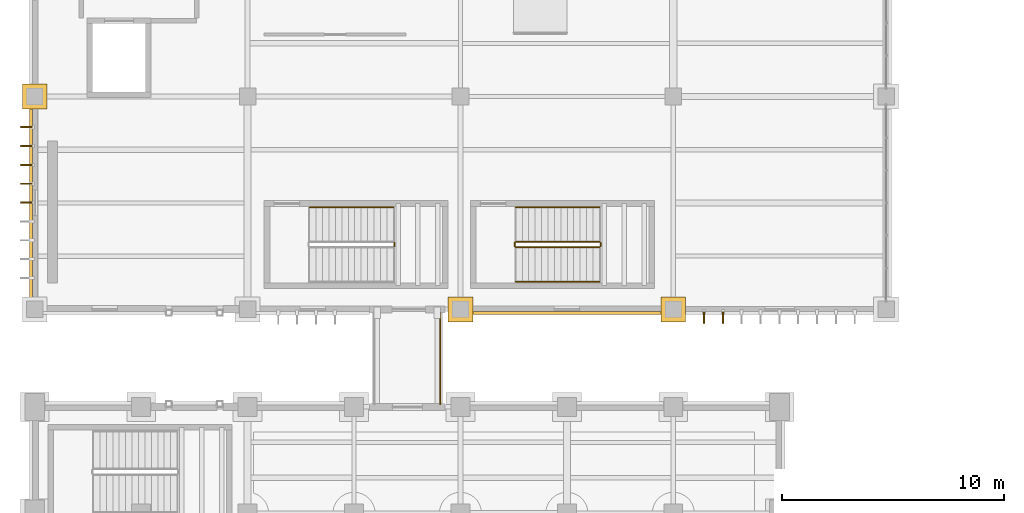
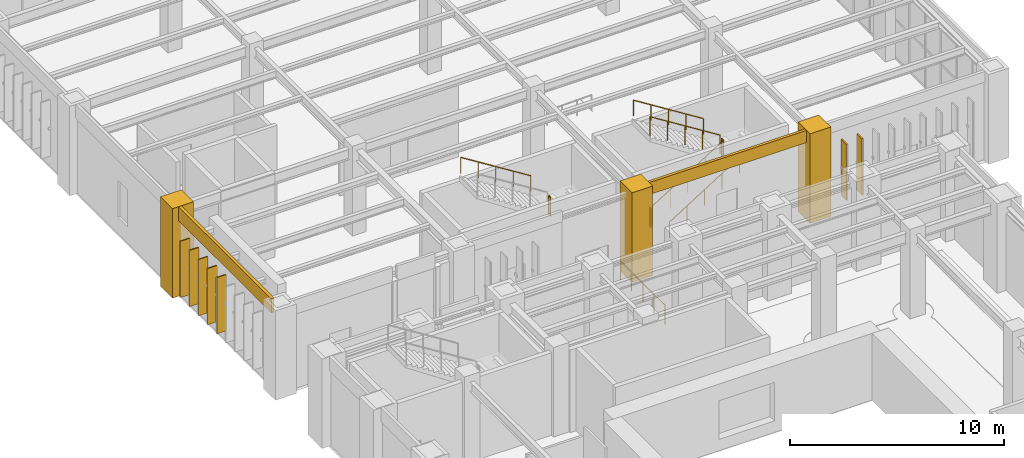
# One storey, part 166 of 174: 9 railings, 7 shading devices, 5 coverings.
"""IFC4 building model written with IfcOpenShell, lengths in metres."""

import ifcopenshell
import ifcopenshell.guid

model = None  # the IFC model being written
_history = None  # IfcOwnerHistory: only IFC2X3 demands one
_inside = {}  # id of a spatial element -> (the spatial element, [elements in it])
_under = {}  # id of a project, library or spatial element -> (it, [spatial elements below it])
_declared = {}  # id of a project -> (the project, [libraries it declares])
_typed = {}  # id of a type object -> (the type object, [elements of that type])
_made_of = {}  # id of a material, layer set ... -> (it, [elements and type objects made of it])


def new_model(schema):
    """Start an empty IFC model of exactly this schema.

    Asked for "IFC4X3", IfcOpenShell would pick the latest addendum, in which some entities
    have other attributes; the version numbers below select the first issue.
    IFC2X3 requires an IfcOwnerHistory on every rooted entity: one is made here for all.
    """
    global model, _history
    if schema == "IFC4X3":
        model = ifcopenshell.file(schema_version=(4, 3, 0, 0))
    else:
        model = ifcopenshell.file(schema=schema)
    _inside.clear()
    _under.clear()
    _declared.clear()
    _typed.clear()
    _made_of.clear()
    _history = None
    if model.schema == "IFC2X3":
        org = make("IfcOrganization", Name="unknown")
        user = make(
            "IfcPersonAndOrganization",
            ThePerson=make("IfcPerson", FamilyName="unknown"),
            TheOrganization=org,
        )
        app = make(
            "IfcApplication",
            ApplicationDeveloper=org,
            Version="unknown",
            ApplicationFullName="unknown",
            ApplicationIdentifier="unknown",
        )
        _history = make(
            "IfcOwnerHistory",
            OwningUser=user,
            OwningApplication=app,
            ChangeAction="ADDED",
            CreationDate=0,
        )
    return model


def make(cls, **values):
    """One entity of the class cls with the attributes given. An attribute that is None is left unset."""
    return model.create_entity(
        cls, **{name: value for name, value in values.items() if value is not None}
    )


def rooted(cls, **values):
    """An entity with a GlobalId (a new one), such as an element, a storey or a relation."""
    return make(cls, GlobalId=ifcopenshell.guid.new(), OwnerHistory=_history, **values)


def si_unit(unit_type, name, prefix=None):
    """IfcSIUnit, for example si_unit("LENGTHUNIT", "METRE", prefix="MILLI")."""
    return make("IfcSIUnit", UnitType=unit_type, Prefix=prefix, Name=name)


def assignment(units):
    """IfcUnitAssignment: the units of a project."""
    return None if units is None else make("IfcUnitAssignment", Units=units)


def point(xyz):
    """IfcCartesianPoint."""
    return None if xyz is None else make("IfcCartesianPoint", Coordinates=xyz)


def direction(xyz):
    """IfcDirection."""
    return None if xyz is None else make("IfcDirection", DirectionRatios=xyz)


def frame(location, z_axis=None, x_axis=None):
    """IfcAxis2Placement3D, a coordinate frame: its origin and axes. An axis left out is left unset."""
    return make(
        "IfcAxis2Placement3D",
        Location=point(location),
        Axis=direction(z_axis),
        RefDirection=direction(x_axis),
    )


def frame_2d(location, x_axis=None):
    """IfcAxis2Placement2D, a coordinate frame in the plane: its origin and x axis."""
    return make(
        "IfcAxis2Placement2D", Location=point(location), RefDirection=direction(x_axis)
    )


def origin():
    """The frame at (0, 0, 0) with its axes left unset."""
    return frame((0.0, 0.0, 0.0))


def origin_2d():
    """The frame at (0, 0) in the plane with its x axis left unset."""
    return frame_2d((0.0, 0.0))


def place(relative_to, where):
    """IfcLocalPlacement: puts the frame where relative to a parent placement (None: the world)."""
    return make(
        "IfcLocalPlacement", PlacementRelTo=relative_to, RelativePlacement=where
    )


def context(
    kind, dimensions, precision=None, world=None, true_north=None, identifier=None
):
    """IfcGeometricRepresentationContext, for example the 3D "Model" context."""
    return make(
        "IfcGeometricRepresentationContext",
        ContextIdentifier=identifier,
        ContextType=kind,
        CoordinateSpaceDimension=dimensions,
        Precision=precision,
        WorldCoordinateSystem=world,
        TrueNorth=true_north,
    )


def subcontext(parent, identifier, kind, view, scale=None):
    """IfcGeometricRepresentationSubContext, for example "Body" below "Model"."""
    return make(
        "IfcGeometricRepresentationSubContext",
        ContextIdentifier=identifier,
        ContextType=kind,
        ParentContext=parent,
        TargetScale=scale,
        TargetView=view,
    )


def project(units=None, contexts=None):
    """IfcProject with its units and contexts."""
    return rooted(
        "IfcProject",
        Name="project",
        RepresentationContexts=contexts,
        UnitsInContext=assignment(units),
    )


def spatial(cls, under=None, at=None, **own):
    """A site, building, storey or space (cls), placed at a placement, below another one or the project."""
    s = rooted(cls, ObjectPlacement=at, **own)
    if under is not None:
        _under.setdefault(under.id(), (under, []))[1].append(s)
    return s


def polyline(points):
    """IfcPolyline through the points."""
    return make("IfcPolyline", Points=[point(p) for p in points])


def profile(cls, at=None, kind="AREA", **sizes):
    """A parametric profile (cls). Its sizes go by their IFC names, for example OverallWidth=200.0."""
    return make(cls, ProfileType=kind, Position=at, **sizes)


def rectangle(**sizes):
    """IfcRectangleProfileDef."""
    return profile("IfcRectangleProfileDef", **sizes)


def circle(**sizes):
    """IfcCircleProfileDef."""
    return profile("IfcCircleProfileDef", **sizes)


def outline(outer, holes=None, kind="AREA"):
    """IfcArbitraryClosedProfileDef: a profile drawn as a closed curve; with holes, ...WithVoids."""
    if holes is None:
        return make("IfcArbitraryClosedProfileDef", ProfileType=kind, OuterCurve=outer)
    return make(
        "IfcArbitraryProfileDefWithVoids",
        ProfileType=kind,
        OuterCurve=outer,
        InnerCurves=holes,
    )


def extrude(swept, where, along, depth):
    """IfcExtrudedAreaSolid: the profile swept, set in the frame where, extruded along a direction by depth."""
    return make(
        "IfcExtrudedAreaSolid",
        SweptArea=swept,
        Position=where,
        ExtrudedDirection=direction(along),
        Depth=depth,
    )


def shape(context_of_items, identifier, shape_type, items):
    """IfcShapeRepresentation: the items that make up one representation, for example the "Body"."""
    return make(
        "IfcShapeRepresentation",
        ContextOfItems=context_of_items,
        RepresentationIdentifier=identifier,
        RepresentationType=shape_type,
        Items=items,
    )


def material(Name=None, Category=None):
    """IfcMaterial."""
    return make("IfcMaterial", Name=Name, Category=Category)


def layer(
    of_material, thickness, ventilated=None, Name=None, Category=None, Priority=None
):
    """IfcMaterialLayer: one layer of a wall or slab, of a material (None: an air gap)."""
    return make(
        "IfcMaterialLayer",
        Material=of_material,
        LayerThickness=thickness,
        IsVentilated=ventilated,
        Name=Name,
        Category=Category,
        Priority=Priority,
    )


def layer_set(layers, Name=None):
    """IfcMaterialLayerSet."""
    return make("IfcMaterialLayerSet", MaterialLayers=layers, LayerSetName=Name)


def made_of(thing, what):
    """Note that an element or type object is made of a material, layer set ...; save() writes the relation."""
    if what is not None:
        _made_of.setdefault(what.id(), (what, []))[1].append(thing)
    return thing


def type_object(cls, material=None, **own):
    """A type object (cls), such as IfcWallType, which elements share."""
    return made_of(rooted(cls, **own), material)


def element(
    cls,
    number,
    at=None,
    inside=None,
    cuts=None,
    type_object=None,
    material=None,
    context=None,
    identifier="Body",
    shape_type=None,
    held_by="IfcProductDefinitionShape",
    body=None,
    shapes=None,
    **own,
):
    """One element of the class cls, such as IfcWall. Its Tag is "e" and its number.

    at: its placement. inside: the storey or other place that contains it. cuts: it is an
    opening in that element (IfcRelVoidsElement). A single representation is given by context,
    identifier, shape_type and body (its items); several are given by shapes. held_by: the class
    of the entity that holds the representations. save() writes the other relations.
    """
    e = rooted(cls, Tag="e%d" % number, ObjectPlacement=at, **own)
    if body is not None:
        shapes = [shape(context, identifier, shape_type, body)]
    if shapes is not None:
        e.Representation = make(held_by, Representations=shapes)
    if inside is not None:
        _inside.setdefault(inside.id(), (inside, []))[1].append(e)
    if cuts is not None:
        rooted(
            "IfcRelVoidsElement", RelatingBuildingElement=cuts, RelatedOpeningElement=e
        )
    if type_object is not None:
        _typed.setdefault(type_object.id(), (type_object, []))[1].append(e)
    return made_of(e, material)


def aggregate(whole, parts):
    """IfcRelAggregates: a whole, such as a stair, and the parts it consists of."""
    return rooted("IfcRelAggregates", RelatingObject=whole, RelatedObjects=parts)


def save(model, path):
    """Write the relations noted so far, then the file.

    IfcRelAggregates (storeys below a building ...), IfcRelContainedInSpatialStructure (elements
    in a storey), IfcRelDefinesByType, IfcRelAssociatesMaterial and IfcRelDeclares: one each for
    every whole, place, type object, material and project.
    """
    for whole, parts in _under.values():
        aggregate(whole, parts)
    for where, things in _inside.values():
        rooted(
            "IfcRelContainedInSpatialStructure",
            RelatedElements=things,
            RelatingStructure=where,
        )
    for kind, things in _typed.values():
        rooted("IfcRelDefinesByType", RelatedObjects=things, RelatingType=kind)
    for what, things in _made_of.values():
        rooted("IfcRelAssociatesMaterial", RelatedObjects=things, RelatingMaterial=what)
    for by, libraries in _declared.values():
        rooted("IfcRelDeclares", RelatingContext=by, RelatedDefinitions=libraries)
    model.write(path)


model = new_model("IFC4")

# Units and contexts
model_context = context("Model", 3, precision=1e-05, world=origin(), true_north=direction((0.0, 1.0)))
body_context = subcontext(model_context, "Body", "Model", "MODEL_VIEW")
ifc_project = project(units=[si_unit("LENGTHUNIT", "METRE"), si_unit("AREAUNIT", "SQUARE_METRE"), si_unit("VOLUMEUNIT", "CUBIC_METRE"), si_unit("PLANEANGLEUNIT", "RADIAN"), si_unit("MASSUNIT", "GRAM", prefix="KILO")], contexts=[model_context])

# Site, building, storey
site_placement = place(None, origin())
site = spatial("IfcSite", under=ifc_project, at=site_placement, CompositionType="ELEMENT")
building_placement = place(site_placement, origin())
building = spatial("IfcBuilding", under=site, at=building_placement, Name="Mavantir Sound Aquarium", CompositionType="ELEMENT")
storey_placement = place(building_placement, frame((0.0, 0.0, 5.39990234375)))
storey = spatial("IfcBuildingStorey", under=building, at=storey_placement, Name="L01", CompositionType="ELEMENT", Elevation=5.39990234375)

# Coverings
ifc_material_1 = material(Name="Honed Coral-Limestone & Glazed Terracotta Rainscreen Cladding", Category="masonry")
ifc_layer = layer(ifc_material_1, 0.06005859375, Name="Honed Coral-Limestone & Glazed Terracotta Rainscreen Cladding")
ifc_layer_set = layer_set([ifc_layer], Name="Honed Coral-Limestone & Glazed Terracotta Rainscreen Cladding")
covering_type = type_object("IfcCoveringType", Name="COV-CLAD-TC", PredefinedType="CLADDING", material=ifc_layer_set)
covering_1_placement = place(storey_placement, frame((0.0, 0.0, 4.299072265625)))
element("IfcCovering", 1, at=covering_1_placement, inside=storey, type_object=covering_type, Name="L01 Postmodern coral-limestone spandrel frieze 254", PredefinedType="CLADDING", context=body_context, shape_type="SweptSolid", body=[
    extrude(outline(polyline([(-0.090087890625, 92.81689453125), (-0.090087890625, 83.98291015625), (-0.239990234375, 83.98291015625), (-0.239990234375, 92.81689453125), (-0.090087890625, 92.81689453125)])), origin(), (0.0, 0.0, 1.0), 0.801025390625),
])
covering_2_placement = place(storey_placement, frame((0.0, 0.0, 4.408203125)))
element("IfcCovering", 2, at=covering_2_placement, inside=storey, type_object=covering_type, Name="L01 Postmodern coral-limestone spandrel frieze 258", PredefinedType="CLADDING", context=body_context, shape_type="SweptSolid", body=[
    extrude(outline(polyline([(19.5830078125, 83.510009765625), (28.4169921875, 83.510009765625), (28.4169921875, 83.360107421875), (19.5830078125, 83.360107421875), (19.5830078125, 83.510009765625)])), origin(), (0.0, 0.0, 1.0), 0.69189453125),
])
covering_3_placement = place(storey_placement, origin())
element("IfcCovering", 3, at=covering_3_placement, inside=storey, type_object=covering_type, Name="L01 Postmodern coral-limestone pilaster casing 350", PredefinedType="CLADDING", context=body_context, shape_type="SweptSolid", body=[
    extrude(outline(polyline([(-0.56005859375, 92.639892578125), (0.56005859375, 92.639892578125), (0.56005859375, 93.760009765625), (-0.56005859375, 93.760009765625), (-0.56005859375, 92.639892578125)])), origin(), (0.0, 0.0, 1.0), 5.10009765625),
])
covering_4_placement = place(storey_placement, origin())
element("IfcCovering", 4, at=covering_4_placement, inside=storey, type_object=covering_type, Name="L01 Postmodern coral-limestone pilaster casing 379", PredefinedType="CLADDING", context=body_context, shape_type="SweptSolid", body=[
    extrude(outline(polyline([(18.639892578125, 83.0400390625), (19.760009765625, 83.0400390625), (19.760009765625, 84.159912109375), (18.639892578125, 84.159912109375), (18.639892578125, 83.0400390625)])), origin(), (0.0, 0.0, 1.0), 5.10009765625),
])
covering_5_placement = place(storey_placement, origin())
element("IfcCovering", 5, at=covering_5_placement, inside=storey, type_object=covering_type, Name="L01 Postmodern coral-limestone pilaster casing 391", PredefinedType="CLADDING", context=body_context, shape_type="SweptSolid", body=[
    extrude(outline(polyline([(28.239990234375, 83.0400390625), (29.360107421875, 83.0400390625), (29.360107421875, 84.159912109375), (28.239990234375, 84.159912109375), (28.239990234375, 83.0400390625)])), origin(), (0.0, 0.0, 1.0), 5.10009765625),
])

# Railings
ifc_material_2 = material(Name="Stainless Steel 316 Bridge Balustrade", Category="steel")
railing_type_1 = type_object("IfcRailingType", Name="RL-BAL-110", PredefinedType="BALUSTRADE", material=ifc_material_2)
railing_1_placement = place(storey_placement, frame((18.280029296875, 79.320068359375, 0.0)))
element("IfcRailing", 6, at=railing_1_placement, inside=storey, type_object=railing_type_1, Name="L01 bridge E guardrail 9", PredefinedType="BALUSTRADE", context=body_context, shape_type="SweptSolid", body=[
    extrude(circle(Radius=0.02392578125, at=origin_2d()), frame((0.0, 0.0, 1.076171875), z_axis=(0.0, 1.0, 0.0), x_axis=(-1.0, 0.0, 0.0)), (0.0, 0.0, 1.0), 4.159912109375),
    extrude(circle(Radius=0.02099609375, at=origin_2d()), origin(), (0.0, 0.0, 1.0), 1.052001953125),
    extrude(circle(Radius=0.02099609375, at=origin_2d()), frame((0.0, 1.0400390625, 0.0)), (0.0, 0.0, 1.0), 1.052001953125),
    extrude(circle(Radius=0.02099609375, at=origin_2d()), frame((0.0, 2.080078125, 0.0)), (0.0, 0.0, 1.0), 1.052001953125),
    extrude(circle(Radius=0.02099609375, at=origin_2d()), frame((0.0, 3.119873046875, 0.0)), (0.0, 0.0, 1.0), 1.052001953125),
    extrude(circle(Radius=0.02099609375, at=origin_2d()), frame((0.0, 4.159912109375, 0.0)), (0.0, 0.0, 1.0), 1.052001953125),
])
ifc_material_3 = material(Name="Stainless Steel 316 and Laminated Glass Guardrail", Category="steel")
railing_type_2 = type_object("IfcRailingType", Name="RL-GUARD-110", PredefinedType="GUARDRAIL", material=ifc_material_3)
railing_2_placement = place(storey_placement, frame((16.219970703125, 86.449951171875, 2.550048828125)))
element("IfcRailing", 7, at=railing_2_placement, inside=storey, type_object=railing_type_2, Name="L01 ST5 stair guard 2", PredefinedType="GUARDRAIL", context=body_context, shape_type="SweptSolid", body=[
    extrude(circle(Radius=0.02392578125, at=origin_2d()), frame((0.0, 0.0, 1.076171875), z_axis=(0.0, 1.0, 0.0), x_axis=(-1.0, 0.0, 0.0)), (0.0, 0.0, 1.0), 0.150146484375),
    extrude(circle(Radius=0.02099609375, at=origin_2d()), origin(), (0.0, 0.0, 1.0), 1.052001953125),
    extrude(circle(Radius=0.02099609375, at=origin_2d()), frame((0.0, 0.150146484375, 0.0)), (0.0, 0.0, 1.0), 1.052001953125),
])
railing_3_placement = place(storey_placement, frame((21.699951171875, 86.39990234375, 0.18212890625)))
element("IfcRailing", 8, at=railing_3_placement, inside=storey, type_object=railing_type_2, Name="L01 ST7 stair guard 1", PredefinedType="GUARDRAIL", context=body_context, shape_type="SweptSolid", body=[
    extrude(circle(Radius=0.02392578125, at=origin_2d()), frame((0.0, 0.0, 1.076171875), z_axis=(0.846819337722, 0.0, 0.53188063441), x_axis=(0.0, 1.0, 0.0)), (0.0, 0.0, 1.0), 4.451904296875),
    extrude(circle(Radius=0.02099609375, at=origin_2d()), origin(), (0.0, 0.0, 1.0), 1.052001953125),
    extrude(circle(Radius=0.02099609375, at=origin_2d()), frame((0.9423828125, 0.0, 0.592041015625)), (0.0, 0.0, 1.0), 1.052001953125),
    extrude(circle(Radius=0.02099609375, at=origin_2d()), frame((1.885009765625, 0.0, 1.18408203125)), (0.0, 0.0, 1.0), 1.052001953125),
    extrude(circle(Radius=0.02099609375, at=origin_2d()), frame((2.82763671875, 0.0, 1.77587890625)), (0.0, 0.0, 1.0), 1.052001953125),
    extrude(circle(Radius=0.02099609375, at=origin_2d()), frame((3.77001953125, 0.0, 2.367919921875)), (0.0, 0.0, 1.0), 1.052001953125),
])
railing_4_placement = place(storey_placement, frame((25.52001953125, 86.449951171875, 2.550048828125)))
element("IfcRailing", 9, at=railing_4_placement, inside=storey, type_object=railing_type_2, Name="L01 ST7 stair guard 2", PredefinedType="GUARDRAIL", context=body_context, shape_type="SweptSolid", body=[
    extrude(circle(Radius=0.02392578125, at=origin_2d()), frame((0.0, 0.0, 1.076171875), z_axis=(0.0, 1.0, 0.0), x_axis=(-1.0, 0.0, 0.0)), (0.0, 0.0, 1.0), 0.150146484375),
    extrude(circle(Radius=0.02099609375, at=origin_2d()), origin(), (0.0, 0.0, 1.0), 1.052001953125),
    extrude(circle(Radius=0.02099609375, at=origin_2d()), frame((0.0, 0.150146484375, 0.0)), (0.0, 0.0, 1.0), 1.052001953125),
])
railing_5_placement = place(storey_placement, frame((25.469970703125, 86.64990234375, 2.732177734375)))
element("IfcRailing", 10, at=railing_5_placement, inside=storey, type_object=railing_type_2, Name="L01 ST7 stair guard 3", PredefinedType="GUARDRAIL", context=body_context, shape_type="SweptSolid", body=[
    extrude(circle(Radius=0.02392578125, at=origin_2d()), frame((0.0, 0.0, 1.076171875), z_axis=(-0.846819337722, 0.0, 0.53188063441), x_axis=(0.0, -1.0, 0.0)), (0.0, 0.0, 1.0), 4.451904296875),
    extrude(circle(Radius=0.02099609375, at=origin_2d()), origin(), (0.0, 0.0, 1.0), 1.052001953125),
    extrude(circle(Radius=0.02099609375, at=origin_2d()), frame((-0.9423828125, 0.0, 0.592041015625)), (0.0, 0.0, 1.0), 1.052001953125),
    extrude(circle(Radius=0.02099609375, at=origin_2d()), frame((-1.885009765625, 0.0, 1.18408203125)), (0.0, 0.0, 1.0), 1.052001953125),
    extrude(circle(Radius=0.02099609375, at=origin_2d()), frame((-2.82763671875, 0.0, 1.77587890625)), (0.0, 0.0, 1.0), 1.052001953125),
    extrude(circle(Radius=0.02099609375, at=origin_2d()), frame((-3.77001953125, 0.0, 2.367919921875)), (0.0, 0.0, 1.0), 1.052001953125),
])
railing_6_placement = place(storey_placement, frame((21.64990234375, 86.449951171875, 0.0)))
element("IfcRailing", 11, at=railing_6_placement, inside=storey, type_object=railing_type_2, Name="L01 ST7 stair guard 4", PredefinedType="GUARDRAIL", context=body_context, shape_type="SweptSolid", body=[
    extrude(circle(Radius=0.02392578125, at=origin_2d()), frame((0.0, 0.0, 1.076171875), z_axis=(0.0, 1.0, 0.0), x_axis=(-1.0, 0.0, 0.0)), (0.0, 0.0, 1.0), 0.150146484375),
    extrude(circle(Radius=0.02099609375, at=origin_2d()), origin(), (0.0, 0.0, 1.0), 1.052001953125),
    extrude(circle(Radius=0.02099609375, at=origin_2d()), frame((0.0, 0.150146484375, 0.0)), (0.0, 0.0, 1.0), 1.052001953125),
])
ifc_material_4 = material(Name="Brushed Stainless Steel 316 Handrail", Category="steel")
railing_type_3 = type_object("IfcRailingType", Name="RL-HR-90", PredefinedType="HANDRAIL", material=ifc_material_4)
railing_7_placement = place(storey_placement, frame((16.169921875, 88.199951171875, 2.917236328125)))
element("IfcRailing", 12, at=railing_7_placement, inside=storey, type_object=railing_type_3, Name="L01 ST5 stair handrail 2", PredefinedType="HANDRAIL", context=body_context, shape_type="SweptSolid", body=[
    extrude(circle(Radius=0.02392578125, at=origin_2d()), frame((0.0, 0.0, 0.89111328125), z_axis=(-0.846819337722, 0.0, 0.53188063441), x_axis=(0.0, -1.0, 0.0)), (0.0, 0.0, 1.0), 4.451904296875),
    extrude(circle(Radius=0.02099609375, at=origin_2d()), origin(), (0.0, 0.0, 1.0), 0.866943359375),
    extrude(circle(Radius=0.02099609375, at=origin_2d()), frame((-0.9423828125, 0.0, 0.592041015625)), (0.0, 0.0, 1.0), 0.866943359375),
    extrude(circle(Radius=0.02099609375, at=origin_2d()), frame((-1.885009765625, 0.0, 1.18408203125)), (0.0, 0.0, 1.0), 0.866943359375),
    extrude(circle(Radius=0.02099609375, at=origin_2d()), frame((-2.82763671875, 0.0, 1.77587890625)), (0.0, 0.0, 1.0), 0.866943359375),
    extrude(circle(Radius=0.02099609375, at=origin_2d()), frame((-3.77001953125, 0.0, 2.367919921875)), (0.0, 0.0, 1.0), 0.866943359375),
])
railing_8_placement = place(storey_placement, frame((21.699951171875, 84.85009765625, 0.3671875)))
element("IfcRailing", 13, at=railing_8_placement, inside=storey, type_object=railing_type_3, Name="L01 ST7 stair handrail 1", PredefinedType="HANDRAIL", context=body_context, shape_type="SweptSolid", body=[
    extrude(circle(Radius=0.02392578125, at=origin_2d()), frame((0.0, 0.0, 0.89111328125), z_axis=(0.846819337722, 0.0, 0.53188063441), x_axis=(0.0, 1.0, 0.0)), (0.0, 0.0, 1.0), 4.451904296875),
    extrude(circle(Radius=0.02099609375, at=origin_2d()), origin(), (0.0, 0.0, 1.0), 0.866943359375),
    extrude(circle(Radius=0.02099609375, at=origin_2d()), frame((0.9423828125, 0.0, 0.592041015625)), (0.0, 0.0, 1.0), 0.866943359375),
    extrude(circle(Radius=0.02099609375, at=origin_2d()), frame((1.885009765625, 0.0, 1.18408203125)), (0.0, 0.0, 1.0), 0.866943359375),
    extrude(circle(Radius=0.02099609375, at=origin_2d()), frame((2.82763671875, 0.0, 1.77587890625)), (0.0, 0.0, 1.0), 0.866943359375),
    extrude(circle(Radius=0.02099609375, at=origin_2d()), frame((3.77001953125, 0.0, 2.367919921875)), (0.0, 0.0, 1.0), 0.866943359375),
])
railing_9_placement = place(storey_placement, frame((25.469970703125, 88.199951171875, 2.917236328125)))
element("IfcRailing", 14, at=railing_9_placement, inside=storey, type_object=railing_type_3, Name="L01 ST7 stair handrail 2", PredefinedType="HANDRAIL", context=body_context, shape_type="SweptSolid", body=[
    extrude(circle(Radius=0.02392578125, at=origin_2d()), frame((0.0, 0.0, 0.89111328125), z_axis=(-0.846819337722, 0.0, 0.53188063441), x_axis=(0.0, -1.0, 0.0)), (0.0, 0.0, 1.0), 4.451904296875),
    extrude(circle(Radius=0.02099609375, at=origin_2d()), origin(), (0.0, 0.0, 1.0), 0.866943359375),
    extrude(circle(Radius=0.02099609375, at=origin_2d()), frame((-0.9423828125, 0.0, 0.592041015625)), (0.0, 0.0, 1.0), 0.866943359375),
    extrude(circle(Radius=0.02099609375, at=origin_2d()), frame((-1.885009765625, 0.0, 1.18408203125)), (0.0, 0.0, 1.0), 0.866943359375),
    extrude(circle(Radius=0.02099609375, at=origin_2d()), frame((-2.82763671875, 0.0, 1.77587890625)), (0.0, 0.0, 1.0), 0.866943359375),
    extrude(circle(Radius=0.02099609375, at=origin_2d()), frame((-3.77001953125, 0.0, 2.367919921875)), (0.0, 0.0, 1.0), 0.866943359375),
])

# Shading devices
ifc_material_5 = material(Name="Anodised Terracotta-Finish Aluminium Brise-Soleil", Category="masonry")
shading_device_type = type_object("IfcShadingDeviceType", Name="SHD-FIN-520", PredefinedType="JALOUSIE", material=ifc_material_5)
for number, where, z_axis, x_axis, name in (
    (15, (-0.375, 91.81689453125, 0.57470703125), (0.0, 0.0, 1.0), (0.0, 1.0, 0.0), "Tropical solar brise-soleil fin 7"),
    (16, (-0.375, 90.967041015625, 0.57470703125), (0.0, 0.0, 1.0), (0.0, 1.0, 0.0), "Tropical solar brise-soleil fin 8"),
    (17, (-0.375, 90.116943359375, 0.57470703125), (0.0, 0.0, 1.0), (0.0, 1.0, 0.0), "Tropical solar brise-soleil fin 9"),
    (18, (-0.375, 89.26708984375, 0.57470703125), (0.0, 0.0, 1.0), (0.0, 1.0, 0.0), "Tropical solar brise-soleil fin 10"),
    (19, (-0.375, 88.4169921875, 0.57470703125), (0.0, 0.0, 1.0), (0.0, 1.0, 0.0), "Tropical solar brise-soleil fin 11"),
    (20, (30.18310546875, 83.22509765625, 0.67138671875), (0.0, 0.0, 1.0), (-1.0, 0.0, 0.0), "Tropical solar brise-soleil fin 20"),
    (21, (31.032958984375, 83.22509765625, 0.67138671875), (0.0, 0.0, 1.0), (-1.0, 0.0, 0.0), "Tropical solar brise-soleil fin 21"),
):
    element("IfcShadingDevice", number, at=place(storey_placement, frame(where, z_axis=z_axis, x_axis=x_axis)), inside=storey, type_object=shading_device_type, Name=name, PredefinedType="JALOUSIE", context=body_context, shape_type="SweptSolid", body=[
        extrude(rectangle(XDim=0.06494140625, YDim=0.52001953125, at=origin_2d()), origin(), (0.0, 0.0, 1.0), 3.199951171875),
    ])

save(model, "model.ifc")
